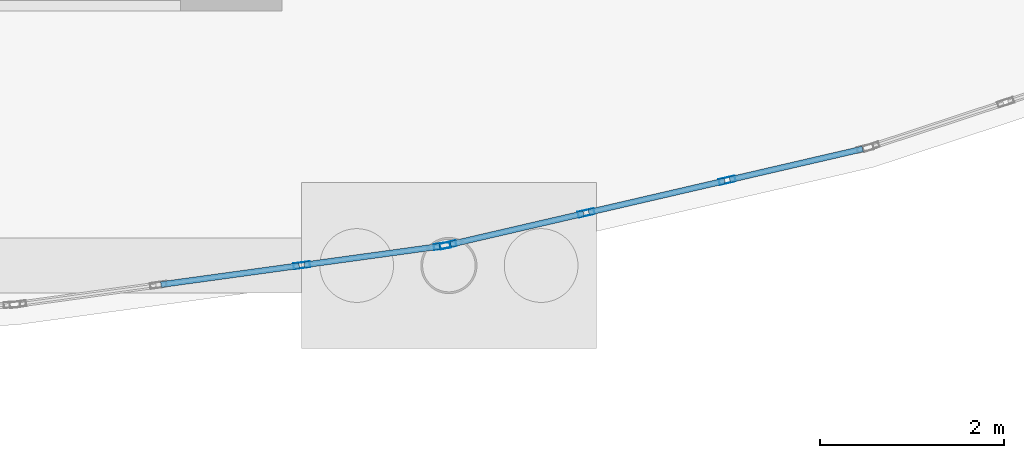
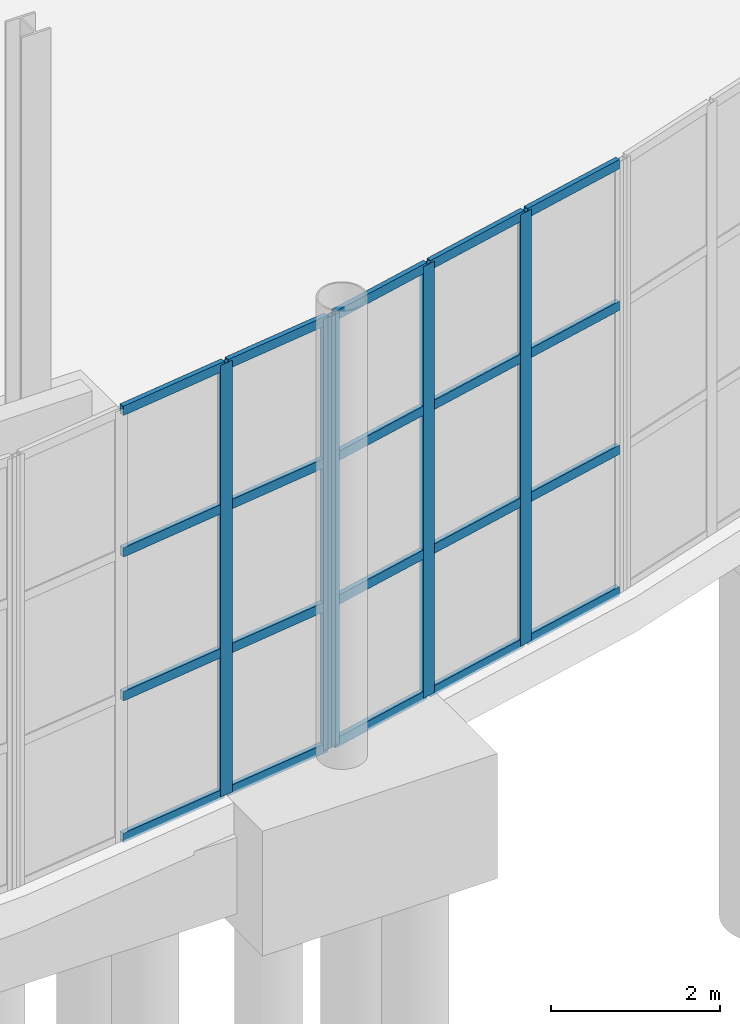
# One storey, part 44 of 115: 25 members, 2 elements without a shape of their own.
"""IFC4 building model written with IfcOpenShell, lengths in metres."""

from ifc_helpers import new_model, si_unit, direction, frame, origin, origin_2d, place, context, subcontext, project, spatial, hollow_rectangle, extrude, material, layer, layer_set, material_profile, profile_set, type_object, element, aggregate, save


model = new_model("IFC4")

# Units and contexts
model_context = context("Model", 3, precision=1e-05, world=origin(), true_north=direction((0.0, 1.0)))
body_context = subcontext(model_context, "Body", "Model", "MODEL_VIEW")
ifc_project = project(units=[si_unit("LENGTHUNIT", "METRE"), si_unit("AREAUNIT", "SQUARE_METRE"), si_unit("VOLUMEUNIT", "CUBIC_METRE"), si_unit("PLANEANGLEUNIT", "RADIAN"), si_unit("MASSUNIT", "GRAM", prefix="KILO")], contexts=[model_context])

# Site, building, storey
site_placement = place(None, origin())
site = spatial("IfcSite", under=ifc_project, at=site_placement, CompositionType="ELEMENT")
building_placement = place(site_placement, origin())
building = spatial("IfcBuilding", under=site, at=building_placement, Name="Tamarisk Ironworks Central Station", CompositionType="ELEMENT")
storey_placement = place(building_placement, origin())
storey = spatial("IfcBuildingStorey", under=building, at=storey_placement, Name="L00", CompositionType="ELEMENT", Elevation=0.0)

# Curtain wall, members
ifc_material = material(Name="Anodized aluminium alloy 6063-T6", Category="aluminium")
ifc_layer = layer(ifc_material, 0.179931640625)
ifc_layer_set = layer_set([ifc_layer], Name="Anodized aluminium alloy 6063-T6")
curtain_wall_type = type_object("IfcCurtainWallType", Name="CW-01", PredefinedType="USERDEFINED", material=ifc_layer_set)
curtain_wall_1_placement = place(storey_placement, origin())
curtain_wall_1 = element("IfcCurtainWall", 1, at=curtain_wall_1_placement, inside=storey, type_object=curtain_wall_type, Name="SN rounded entrance hall L00 curtain wall bay 08", ObjectType="GLAZED CURTAIN WALL", PredefinedType="USERDEFINED")
ifc_material_profile_1 = material_profile(ifc_material, hollow_rectangle(XDim=0.06494140625, YDim=0.179931640625, WallThickness=0.00390625, at=origin_2d()), Name="ALUM 180x65")
ifc_profile_set_1 = profile_set([ifc_material_profile_1], Name="Anodized aluminium alloy 6063-T6")
member_type_1 = type_object("IfcMemberType", Name="CWM-02", PredefinedType="MULLION", material=ifc_profile_set_1)
member_1_placement = place(storey_placement, frame((88.8154296875, 4.102294921875, 0.0), z_axis=(0.0, 0.0, 1.0), x_axis=(-0.136041725218, 0.990703108403, 0.0)))
member_1 = element("IfcMember", 2, at=member_1_placement, type_object=member_type_1, Name="CW01 mullion 3", PredefinedType="MULLION", context=body_context, shape_type="SweptSolid", body=[
    extrude(hollow_rectangle(XDim=0.06494140625, YDim=0.179931640625, WallThickness=0.00390625, at=origin_2d()), origin(), (0.0, 0.0, 1.0), 6.219970703125),
])
member_2_placement = place(storey_placement, frame((90.33837890625, 4.3115234375, 0.0), z_axis=(0.0, 0.0, 1.0), x_axis=(-0.136041725218, 0.990703108403, 0.0)))
member_2 = element("IfcMember", 3, at=member_2_placement, type_object=member_type_1, Name="CW01 mullion 4", PredefinedType="MULLION", context=body_context, shape_type="SweptSolid", body=[
    extrude(hollow_rectangle(XDim=0.06494140625, YDim=0.179931640625, WallThickness=0.00390625, at=origin_2d()), origin(), (0.0, 0.0, 1.0), 6.219970703125),
])

curtain_wall_2_placement = place(storey_placement, origin())
curtain_wall_2 = element("IfcCurtainWall", 4, at=curtain_wall_2_placement, inside=storey, type_object=curtain_wall_type, Name="SN rounded entrance hall L00 curtain wall bay 09", ObjectType="GLAZED CURTAIN WALL", PredefinedType="USERDEFINED")
member_3_placement = place(storey_placement, frame((90.40234375, 4.3232421875, 0.0), z_axis=(0.0, 0.0, 1.0), x_axis=(-0.225516966506, 0.974239240545, 0.0)))
member_3 = element("IfcMember", 5, at=member_3_placement, type_object=member_type_1, Name="CW01 mullion 1", PredefinedType="MULLION", context=body_context, shape_type="SweptSolid", body=[
    extrude(hollow_rectangle(XDim=0.06494140625, YDim=0.179931640625, WallThickness=0.00390625, at=origin_2d()), origin(), (0.0, 0.0, 1.0), 6.219970703125),
])
member_4_placement = place(storey_placement, frame((91.900146484375, 4.669921875, 0.0), z_axis=(0.0, 0.0, 1.0), x_axis=(-0.225516966506, 0.974239240545, 0.0)))
member_4 = element("IfcMember", 6, at=member_4_placement, type_object=member_type_1, Name="CW01 mullion 2", PredefinedType="MULLION", context=body_context, shape_type="SweptSolid", body=[
    extrude(hollow_rectangle(XDim=0.06494140625, YDim=0.179931640625, WallThickness=0.00390625, at=origin_2d()), origin(), (0.0, 0.0, 1.0), 6.219970703125),
])
member_5_placement = place(storey_placement, frame((93.429443359375, 5.02392578125, 0.0), z_axis=(0.0, 0.0, 1.0), x_axis=(-0.225516966506, 0.974239240545, 0.0)))
member_5 = element("IfcMember", 7, at=member_5_placement, type_object=member_type_1, Name="CW01 mullion 3", PredefinedType="MULLION", context=body_context, shape_type="SweptSolid", body=[
    extrude(hollow_rectangle(XDim=0.06494140625, YDim=0.179931640625, WallThickness=0.00390625, at=origin_2d()), origin(), (0.0, 0.0, 1.0), 6.219970703125),
])

# Member
ifc_material_profile_2 = material_profile(ifc_material, hollow_rectangle(XDim=0.06494140625, YDim=0.135009765625, WallThickness=0.00341796875, at=origin_2d()), Name="ALUM 135x65")
ifc_profile_set_2 = profile_set([ifc_material_profile_2], Name="Anodized aluminium alloy 6063-T6")
member_type_2 = type_object("IfcMemberType", Name="CWT-02", PredefinedType="USERDEFINED", material=ifc_profile_set_2)
member_6_placement = place(storey_placement, frame((87.288330078125, 3.892578125, 0.032470703125), z_axis=(0.990703051997, 0.136042135988, 0.0), x_axis=(-0.136042135988, 0.990703051997, 0.0)))
member_6 = element("IfcMember", 8, at=member_6_placement, type_object=member_type_2, Name="CW01 transom 2.1", ObjectType="TRANSOM", PredefinedType="USERDEFINED", context=body_context, shape_type="SweptSolid", body=[
    extrude(hollow_rectangle(XDim=0.06494140625, YDim=0.135009765625, WallThickness=0.00341796875, at=origin_2d()), origin(), (0.0, 0.0, 1.0), 1.512939453125),
])

member_7_placement = place(storey_placement, frame((87.288330078125, 3.892578125, 2.0732421875), z_axis=(0.990703051997, 0.136042135988, 0.0), x_axis=(-0.136042135988, 0.990703051997, 0.0)))
member_7 = element("IfcMember", 9, at=member_7_placement, type_object=member_type_2, Name="CW01 transom 2.2", ObjectType="TRANSOM", PredefinedType="USERDEFINED", context=body_context, shape_type="SweptSolid", body=[
    extrude(hollow_rectangle(XDim=0.06494140625, YDim=0.135009765625, WallThickness=0.00341796875, at=origin_2d()), origin(), (0.0, 0.0, 1.0), 1.512939453125),
])

member_8_placement = place(storey_placement, frame((87.288330078125, 3.892578125, 4.146728515625), z_axis=(0.990703051997, 0.136042135988, 0.0), x_axis=(-0.136042135988, 0.990703051997, 0.0)))
member_8 = element("IfcMember", 10, at=member_8_placement, type_object=member_type_2, Name="CW01 transom 2.3", ObjectType="TRANSOM", PredefinedType="USERDEFINED", context=body_context, shape_type="SweptSolid", body=[
    extrude(hollow_rectangle(XDim=0.06494140625, YDim=0.135009765625, WallThickness=0.00341796875, at=origin_2d()), origin(), (0.0, 0.0, 1.0), 1.512939453125),
])

member_9_placement = place(storey_placement, frame((87.288330078125, 3.892578125, 6.1875), z_axis=(0.990703051997, 0.136042135988, 0.0), x_axis=(-0.136042135988, 0.990703051997, 0.0)))
member_9 = element("IfcMember", 11, at=member_9_placement, type_object=member_type_2, Name="CW01 transom 2.4", ObjectType="TRANSOM", PredefinedType="USERDEFINED", context=body_context, shape_type="SweptSolid", body=[
    extrude(hollow_rectangle(XDim=0.06494140625, YDim=0.135009765625, WallThickness=0.00341796875, at=origin_2d()), origin(), (0.0, 0.0, 1.0), 1.512939453125),
])

member_10_placement = place(storey_placement, frame((88.843505859375, 4.106201171875, 0.032470703125), z_axis=(0.990700249291, 0.136062544642, 0.0), x_axis=(-0.136062544642, 0.990700249291, 0.0)))
member_10 = element("IfcMember", 12, at=member_10_placement, type_object=member_type_2, Name="CW01 transom 3.1", ObjectType="TRANSOM", PredefinedType="USERDEFINED", context=body_context, shape_type="SweptSolid", body=[
    extrude(hollow_rectangle(XDim=0.06494140625, YDim=0.135009765625, WallThickness=0.00341796875, at=origin_2d()), origin(), (0.0, 0.0, 1.0), 1.480224609375),
])

member_11_placement = place(storey_placement, frame((88.843505859375, 4.106201171875, 2.0732421875), z_axis=(0.990700249291, 0.136062544642, 0.0), x_axis=(-0.136062544642, 0.990700249291, 0.0)))
member_11 = element("IfcMember", 13, at=member_11_placement, type_object=member_type_2, Name="CW01 transom 3.2", ObjectType="TRANSOM", PredefinedType="USERDEFINED", context=body_context, shape_type="SweptSolid", body=[
    extrude(hollow_rectangle(XDim=0.06494140625, YDim=0.135009765625, WallThickness=0.00341796875, at=origin_2d()), origin(), (0.0, 0.0, 1.0), 1.480224609375),
])

member_12_placement = place(storey_placement, frame((88.843505859375, 4.106201171875, 4.146728515625), z_axis=(0.990700249291, 0.136062544642, 0.0), x_axis=(-0.136062544642, 0.990700249291, 0.0)))
member_12 = element("IfcMember", 14, at=member_12_placement, type_object=member_type_2, Name="CW01 transom 3.3", ObjectType="TRANSOM", PredefinedType="USERDEFINED", context=body_context, shape_type="SweptSolid", body=[
    extrude(hollow_rectangle(XDim=0.06494140625, YDim=0.135009765625, WallThickness=0.00341796875, at=origin_2d()), origin(), (0.0, 0.0, 1.0), 1.480224609375),
])

member_13_placement = place(storey_placement, frame((88.843505859375, 4.106201171875, 6.1875), z_axis=(0.990700249291, 0.136062544642, 0.0), x_axis=(-0.136062544642, 0.990700249291, 0.0)))
member_13 = element("IfcMember", 15, at=member_13_placement, type_object=member_type_2, Name="CW01 transom 3.4", ObjectType="TRANSOM", PredefinedType="USERDEFINED", context=body_context, shape_type="SweptSolid", body=[
    extrude(hollow_rectangle(XDim=0.06494140625, YDim=0.135009765625, WallThickness=0.00341796875, at=origin_2d()), origin(), (0.0, 0.0, 1.0), 1.480224609375),
])

aggregate(curtain_wall_1, [member_1, member_2, member_6, member_7, member_8, member_9, member_10, member_11, member_12, member_13])

member_14_placement = place(storey_placement, frame((90.429931640625, 4.32958984375, 0.032470703125), z_axis=(0.974224175815, 0.225582036648, 0.0), x_axis=(-0.225582036648, 0.974224175815, 0.0)))
member_14 = element("IfcMember", 16, at=member_14_placement, type_object=member_type_2, Name="CW01 transom 1.1", ObjectType="TRANSOM", PredefinedType="USERDEFINED", context=body_context, shape_type="SweptSolid", body=[
    extrude(hollow_rectangle(XDim=0.06494140625, YDim=0.135009765625, WallThickness=0.00341796875, at=origin_2d()), origin(), (0.0, 0.0, 1.0), 1.48046875),
])

member_15_placement = place(storey_placement, frame((90.429931640625, 4.32958984375, 2.0732421875), z_axis=(0.974224175815, 0.225582036648, 0.0), x_axis=(-0.225582036648, 0.974224175815, 0.0)))
member_15 = element("IfcMember", 17, at=member_15_placement, type_object=member_type_2, Name="CW01 transom 1.2", ObjectType="TRANSOM", PredefinedType="USERDEFINED", context=body_context, shape_type="SweptSolid", body=[
    extrude(hollow_rectangle(XDim=0.06494140625, YDim=0.135009765625, WallThickness=0.00341796875, at=origin_2d()), origin(), (0.0, 0.0, 1.0), 1.48046875),
])

member_16_placement = place(storey_placement, frame((90.429931640625, 4.32958984375, 4.146728515625), z_axis=(0.974224175815, 0.225582036648, 0.0), x_axis=(-0.225582036648, 0.974224175815, 0.0)))
member_16 = element("IfcMember", 18, at=member_16_placement, type_object=member_type_2, Name="CW01 transom 1.3", ObjectType="TRANSOM", PredefinedType="USERDEFINED", context=body_context, shape_type="SweptSolid", body=[
    extrude(hollow_rectangle(XDim=0.06494140625, YDim=0.135009765625, WallThickness=0.00341796875, at=origin_2d()), origin(), (0.0, 0.0, 1.0), 1.48046875),
])

member_17_placement = place(storey_placement, frame((90.429931640625, 4.32958984375, 6.1875), z_axis=(0.974224175815, 0.225582036648, 0.0), x_axis=(-0.225582036648, 0.974224175815, 0.0)))
member_17 = element("IfcMember", 19, at=member_17_placement, type_object=member_type_2, Name="CW01 transom 1.4", ObjectType="TRANSOM", PredefinedType="USERDEFINED", context=body_context, shape_type="SweptSolid", body=[
    extrude(hollow_rectangle(XDim=0.06494140625, YDim=0.135009765625, WallThickness=0.00341796875, at=origin_2d()), origin(), (0.0, 0.0, 1.0), 1.48046875),
])

member_18_placement = place(storey_placement, frame((91.927734375, 4.67626953125, 0.032470703125), z_axis=(0.974219565411, 0.225601946736, 0.0), x_axis=(-0.225601946736, 0.974219565411, 0.0)))
member_18 = element("IfcMember", 20, at=member_18_placement, type_object=member_type_2, Name="CW01 transom 2.1", ObjectType="TRANSOM", PredefinedType="USERDEFINED", context=body_context, shape_type="SweptSolid", body=[
    extrude(hollow_rectangle(XDim=0.06494140625, YDim=0.135009765625, WallThickness=0.00341796875, at=origin_2d()), origin(), (0.0, 0.0, 1.0), 1.512939453125),
])

member_19_placement = place(storey_placement, frame((91.927734375, 4.67626953125, 2.0732421875), z_axis=(0.974219565411, 0.225601946736, 0.0), x_axis=(-0.225601946736, 0.974219565411, 0.0)))
member_19 = element("IfcMember", 21, at=member_19_placement, type_object=member_type_2, Name="CW01 transom 2.2", ObjectType="TRANSOM", PredefinedType="USERDEFINED", context=body_context, shape_type="SweptSolid", body=[
    extrude(hollow_rectangle(XDim=0.06494140625, YDim=0.135009765625, WallThickness=0.00341796875, at=origin_2d()), origin(), (0.0, 0.0, 1.0), 1.512939453125),
])

member_20_placement = place(storey_placement, frame((91.927734375, 4.67626953125, 4.146728515625), z_axis=(0.974219565411, 0.225601946736, 0.0), x_axis=(-0.225601946736, 0.974219565411, 0.0)))
member_20 = element("IfcMember", 22, at=member_20_placement, type_object=member_type_2, Name="CW01 transom 2.3", ObjectType="TRANSOM", PredefinedType="USERDEFINED", context=body_context, shape_type="SweptSolid", body=[
    extrude(hollow_rectangle(XDim=0.06494140625, YDim=0.135009765625, WallThickness=0.00341796875, at=origin_2d()), origin(), (0.0, 0.0, 1.0), 1.512939453125),
])

member_21_placement = place(storey_placement, frame((91.927734375, 4.67626953125, 6.1875), z_axis=(0.974219565411, 0.225601946736, 0.0), x_axis=(-0.225601946736, 0.974219565411, 0.0)))
member_21 = element("IfcMember", 23, at=member_21_placement, type_object=member_type_2, Name="CW01 transom 2.4", ObjectType="TRANSOM", PredefinedType="USERDEFINED", context=body_context, shape_type="SweptSolid", body=[
    extrude(hollow_rectangle(XDim=0.06494140625, YDim=0.135009765625, WallThickness=0.00341796875, at=origin_2d()), origin(), (0.0, 0.0, 1.0), 1.512939453125),
])

member_22_placement = place(storey_placement, frame((93.457275390625, 5.0302734375, 0.032470703125), z_axis=(0.974215782527, 0.225618281784, 0.0), x_axis=(-0.225618281784, 0.974215782527, 0.0)))
member_22 = element("IfcMember", 24, at=member_22_placement, type_object=member_type_2, Name="CW01 transom 3.1", ObjectType="TRANSOM", PredefinedType="USERDEFINED", context=body_context, shape_type="SweptSolid", body=[
    extrude(hollow_rectangle(XDim=0.06494140625, YDim=0.135009765625, WallThickness=0.00341796875, at=origin_2d()), origin(), (0.0, 0.0, 1.0), 1.480224609375),
])

member_23_placement = place(storey_placement, frame((93.457275390625, 5.0302734375, 2.0732421875), z_axis=(0.974215782527, 0.225618281784, 0.0), x_axis=(-0.225618281784, 0.974215782527, 0.0)))
member_23 = element("IfcMember", 25, at=member_23_placement, type_object=member_type_2, Name="CW01 transom 3.2", ObjectType="TRANSOM", PredefinedType="USERDEFINED", context=body_context, shape_type="SweptSolid", body=[
    extrude(hollow_rectangle(XDim=0.06494140625, YDim=0.135009765625, WallThickness=0.00341796875, at=origin_2d()), origin(), (0.0, 0.0, 1.0), 1.480224609375),
])

member_24_placement = place(storey_placement, frame((93.457275390625, 5.0302734375, 4.146728515625), z_axis=(0.974215782527, 0.225618281784, 0.0), x_axis=(-0.225618281784, 0.974215782527, 0.0)))
member_24 = element("IfcMember", 26, at=member_24_placement, type_object=member_type_2, Name="CW01 transom 3.3", ObjectType="TRANSOM", PredefinedType="USERDEFINED", context=body_context, shape_type="SweptSolid", body=[
    extrude(hollow_rectangle(XDim=0.06494140625, YDim=0.135009765625, WallThickness=0.00341796875, at=origin_2d()), origin(), (0.0, 0.0, 1.0), 1.480224609375),
])

member_25_placement = place(storey_placement, frame((93.457275390625, 5.0302734375, 6.1875), z_axis=(0.974215782527, 0.225618281784, 0.0), x_axis=(-0.225618281784, 0.974215782527, 0.0)))
member_25 = element("IfcMember", 27, at=member_25_placement, type_object=member_type_2, Name="CW01 transom 3.4", ObjectType="TRANSOM", PredefinedType="USERDEFINED", context=body_context, shape_type="SweptSolid", body=[
    extrude(hollow_rectangle(XDim=0.06494140625, YDim=0.135009765625, WallThickness=0.00341796875, at=origin_2d()), origin(), (0.0, 0.0, 1.0), 1.480224609375),
])

aggregate(curtain_wall_2, [member_3, member_4, member_5, member_14, member_15, member_16, member_17, member_18, member_19, member_20, member_21, member_22, member_23, member_24, member_25])

save(model, "model.ifc")
